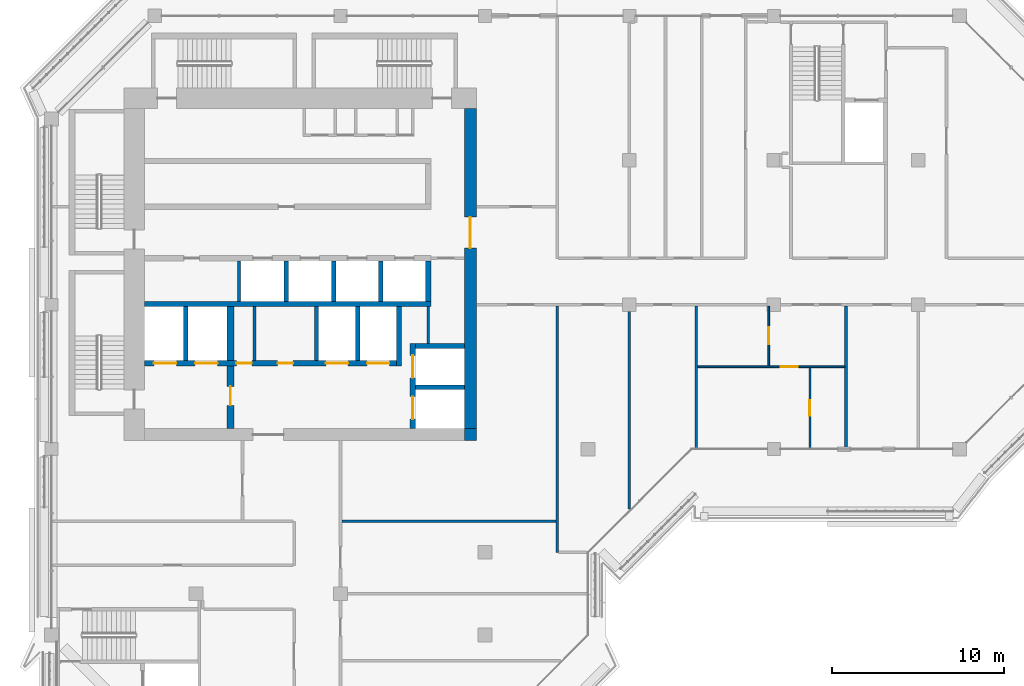
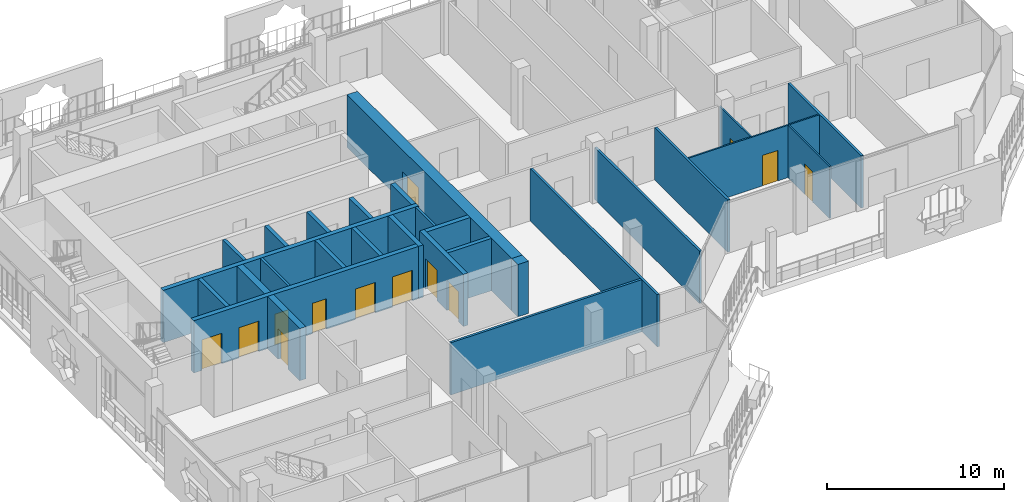
# One storey, part 11 of 22: 28 walls, 13 doors, 13 openings.
"""IFC4 building model written with IfcOpenShell, lengths in metres."""

from ifc_helpers import new_model, si_unit, direction, frame, frame_2d, origin, place, context, subcontext, project, spatial, rectangle, extrude, material, layer, layer_set, type_object, element, fill, save


model = new_model("IFC4")

# Units and contexts
model_context = context("Model", 3, precision=1e-05, world=origin(), true_north=direction((0.0, 1.0)))
body_context = subcontext(model_context, "Body", "Model", "MODEL_VIEW")
ifc_project = project(units=[si_unit("LENGTHUNIT", "METRE"), si_unit("AREAUNIT", "SQUARE_METRE"), si_unit("VOLUMEUNIT", "CUBIC_METRE"), si_unit("PLANEANGLEUNIT", "RADIAN"), si_unit("MASSUNIT", "GRAM", prefix="KILO")], contexts=[model_context])

# Site, building, storey
site_placement = place(None, origin())
site = spatial("IfcSite", under=ifc_project, at=site_placement, CompositionType="ELEMENT")
building_placement = place(site_placement, origin())
building = spatial("IfcBuilding", under=site, at=building_placement, Name="Kawkab Arch Medical Tower", CompositionType="ELEMENT")
storey_placement = place(building_placement, frame((0.0, 0.0, 298.60009765625)))
storey = spatial("IfcBuildingStorey", under=building, at=storey_placement, Name="L69", CompositionType="ELEMENT", Elevation=298.60009765625)

# Wall, opening, door
ifc_material_1 = material(Name="Concrete C50/60", Category="concrete")
ifc_layer_1 = layer(ifc_material_1, 0.699951171875)
ifc_layer_set_1 = layer_set([ifc_layer_1], Name="Concrete C50/60")
wall_type_1 = type_object("IfcWallType", Name="Core ring wall 700 C50/60", PredefinedType="SHEAR", material=ifc_layer_set_1)
wall_1_placement = place(storey_placement, frame((24.35009765625, -24.0, 0.0), z_axis=(0.0, 0.0, 1.0), x_axis=(0.0, 1.0, 0.0)))
wall_1 = element("IfcWall", 1, at=wall_1_placement, inside=storey, type_object=wall_type_1, Name="L69 core wall", PredefinedType="SHEAR", context=body_context, shape_type="SweptSolid", body=[
    extrude(rectangle(XDim=18.60009765625, YDim=0.699951171875, at=frame_2d((9.300048828125, 0.0))), origin(), (0.0, 0.0, 1.0), 3.599853515625),
])
opening_1_placement = place(wall_1_placement, frame((10.5, 0.0, 0.0)))
opening_1 = element("IfcOpeningElement", 2, at=opening_1_placement, cuts=wall_1, Name="Opening PD", PredefinedType="OPENING", context=body_context, shape_type="SweptSolid", body=[
    extrude(rectangle(XDim=1.800048828125, YDim=2.10009765625, at=frame_2d((0.89990234375, 1.050048828125))), frame((0.0, 0.35986328125, 0.0), z_axis=(0.0, -1.0, 0.0), x_axis=(1.0, 0.0, 0.0)), (0.0, 0.0, 1.0), 0.719970703125),
])
ifc_material_2 = material(Name="Hollow metal fire door leaf")
door_type_1 = type_object("IfcDoorType", Name="Core entrance doors 1800", OperationType="DOUBLE_DOOR_SINGLE_SWING", PredefinedType="DOOR", material=ifc_material_2)
door_1_placement = place(opening_1_placement, origin())
door_1 = element("IfcDoor", 3, at=door_1_placement, inside=storey, type_object=door_type_1, Name="L69 East entrance doors", OperationType="DOUBLE_DOOR_SINGLE_SWING", OverallHeight=2.10009765625, OverallWidth=1.800048828125, PredefinedType="DOOR", context=body_context, shape_type="SweptSolid", body=[
    extrude(rectangle(XDim=1.800048828125, YDim=2.10009765625, at=frame_2d((0.89990234375, 1.050048828125))), frame((0.0, 0.02490234375, 0.0), z_axis=(0.0, -1.0, 0.0), x_axis=(1.0, 0.0, 0.0)), (0.0, 0.0, 1.0), 0.050048828125),
])
fill(opening_1, door_1)

# Walls
wall_2_placement = place(storey_placement, frame((24.35009765625, -24.699951171875, 0.0), z_axis=(0.0, 0.0, 1.0), x_axis=(0.0, 1.0, 0.0)))
element("IfcWall", 4, at=wall_2_placement, inside=storey, type_object=wall_type_1, Name="L69 core wall", PredefinedType="SHEAR", context=body_context, shape_type="SweptSolid", body=[
    extrude(rectangle(XDim=0.699951171875, YDim=0.699951171875, at=frame_2d((0.35009765625, 0.0))), origin(), (0.0, 0.0, 1.0), 3.599853515625),
])
ifc_material_3 = material(Name="Gypsum board on steel studs", Category="steel")
ifc_layer_2 = layer(ifc_material_3, 0.14990234375)
ifc_layer_set_2 = layer_set([ifc_layer_2], Name="Gypsum board on steel studs")
wall_type_2 = type_object("IfcWallType", Name="Core room partition 150", PredefinedType="PARTITIONING", material=ifc_layer_set_2)
wall_3_placement = place(storey_placement, frame((21.89990234375, -19.050048828125, 0.0), z_axis=(0.0, 0.0, 1.0), x_axis=(0.0, 1.0, 0.0)))
element("IfcWall", 5, at=wall_3_placement, inside=storey, type_object=wall_type_2, Name="L69 core room partition", PredefinedType="PARTITIONING", context=body_context, shape_type="SweptSolid", body=[
    extrude(rectangle(XDim=2.150146484375, YDim=0.14990234375, at=frame_2d((1.0751953125, 0.0))), origin(), (0.0, 0.0, 1.0), 3.599853515625),
])
wall_4_placement = place(storey_placement, frame((11.800048828125, -20.050048828125, 0.0), z_axis=(0.0, 0.0, 1.0), x_axis=(0.0, 1.0, 0.0)))
element("IfcWall", 6, at=wall_4_placement, inside=storey, type_object=wall_type_2, Name="L69 core room partition", PredefinedType="PARTITIONING", context=body_context, shape_type="SweptSolid", body=[
    extrude(rectangle(XDim=3.150146484375, YDim=0.14990234375, at=frame_2d((1.5751953125, 0.0))), origin(), (0.0, 0.0, 1.0), 3.599853515625),
])
ifc_material_4 = material(Name="Concrete C60/75", Category="concrete")
ifc_layer_3 = layer(ifc_material_4, 0.25)
ifc_layer_set_3 = layer_set([ifc_layer_3], Name="Concrete C60/75")
wall_type_3 = type_object("IfcWallType", Name="Core shear wall 250 C60/75", PredefinedType="SHEAR", material=ifc_layer_set_3)
wall_5_placement = place(storey_placement, frame((21.14990234375, -21.60009765625, 0.0), z_axis=(0.0, 0.0, 1.0), x_axis=(1.0, 0.0, 0.0)))
element("IfcWall", 7, at=wall_5_placement, inside=storey, type_object=wall_type_3, Name="L69 core shear wall", PredefinedType="SHEAR", context=body_context, shape_type="SweptSolid", body=[
    extrude(rectangle(XDim=2.85009765625, YDim=0.25, at=frame_2d((1.425048828125, 0.0))), origin(), (0.0, 0.0, 1.0), 3.599853515625),
])
for number, where, z_axis, x_axis, name in (
    (8, (7.800048828125, -20.050048828125, 0.0), (0.0, 0.0, 1.0), (0.0, 1.0, 0.0), "L69 core shear wall"),
    (9, (15.39990234375, -20.050048828125, 0.0), (0.0, 0.0, 1.0), (0.0, 1.0, 0.0), "L69 core shear wall"),
    (10, (17.800048828125, -20.050048828125, 0.0), (0.0, 0.0, 1.0), (0.0, 1.0, 0.0), "L69 core shear wall"),
):
    element("IfcWall", number, at=place(storey_placement, frame(where, z_axis=z_axis, x_axis=x_axis)), inside=storey, type_object=wall_type_3, Name=name, PredefinedType="SHEAR", context=body_context, shape_type="SweptSolid", body=[
        extrude(rectangle(XDim=3.150146484375, YDim=0.25, at=frame_2d((1.5751953125, 0.0))), origin(), (0.0, 0.0, 1.0), 3.599853515625),
    ])
for number, where, z_axis, x_axis, name in (
    (11, (13.64990234375, -16.60009765625, 0.0), (0.0, 0.0, 1.0), (0.0, 1.0, 0.0), "L69 core shear wall"),
    (12, (16.39990234375, -16.60009765625, 0.0), (0.0, 0.0, 1.0), (0.0, 1.0, 0.0), "L69 core shear wall"),
    (13, (19.14990234375, -16.60009765625, 0.0), (0.0, 0.0, 1.0), (0.0, 1.0, 0.0), "L69 core shear wall"),
):
    element("IfcWall", number, at=place(storey_placement, frame(where, z_axis=z_axis, x_axis=x_axis)), inside=storey, type_object=wall_type_3, Name=name, PredefinedType="SHEAR", context=body_context, shape_type="SweptSolid", body=[
        extrude(rectangle(XDim=2.35009765625, YDim=0.25, at=frame_2d((1.175048828125, 0.0))), origin(), (0.0, 0.0, 1.0), 3.599853515625),
    ])
ifc_material_5 = material(Name="Concrete C60/75", Category="concrete")
ifc_layer_4 = layer(ifc_material_5, 0.300048828125)
ifc_layer_set_4 = layer_set([ifc_layer_4], Name="Concrete C60/75")
wall_type_4 = type_object("IfcWallType", Name="Core shear wall 300 C60/75", PredefinedType="SHEAR", material=ifc_layer_set_4)
wall_6_placement = place(storey_placement, frame((5.39990234375, -16.75, 0.0), z_axis=(0.0, 0.0, 1.0), x_axis=(1.0, 0.0, 0.0)))
element("IfcWall", 14, at=wall_6_placement, inside=storey, type_object=wall_type_4, Name="L69 core shear wall", PredefinedType="SHEAR", context=body_context, shape_type="SweptSolid", body=[
    extrude(rectangle(XDim=16.650146484375, YDim=0.300048828125, at=frame_2d((8.3251953125, 0.0))), origin(), (0.0, 0.0, 1.0), 3.599853515625),
])

# Wall, openings, doors
wall_7_placement = place(storey_placement, frame((5.39990234375, -20.199951171875, 0.0), z_axis=(0.0, 0.0, 1.0), x_axis=(1.0, 0.0, 0.0)))
wall_7 = element("IfcWall", 15, at=wall_7_placement, inside=storey, type_object=wall_type_4, Name="L69 core shear wall", PredefinedType="SHEAR", context=body_context, shape_type="SweptSolid", body=[
    extrude(rectangle(XDim=14.650146484375, YDim=0.300048828125, at=frame_2d((7.3251953125, 0.0))), origin(), (0.0, 0.0, 1.0), 3.599853515625),
])
opening_2_placement = place(wall_7_placement, frame((10.550048828125, 0.0, 0.0)))
opening_2 = element("IfcOpeningElement", 16, at=opening_2_placement, cuts=wall_7, Name="Opening LD2", PredefinedType="OPENING", context=body_context, shape_type="SweptSolid", body=[
    extrude(rectangle(XDim=1.300048828125, YDim=2.10009765625, at=frame_2d((0.64990234375, 1.050048828125))), frame((0.0, 0.159912109375, 0.0), z_axis=(0.0, -1.0, 0.0), x_axis=(1.0, 0.0, 0.0)), (0.0, 0.0, 1.0), 0.320068359375),
])
opening_3_placement = place(wall_7_placement, frame((12.949951171875, 0.0, 0.0)))
opening_3 = element("IfcOpeningElement", 17, at=opening_3_placement, cuts=wall_7, Name="Opening LD2", PredefinedType="OPENING", context=body_context, shape_type="SweptSolid", body=[
    extrude(rectangle(XDim=1.300048828125, YDim=2.10009765625, at=frame_2d((0.64990234375, 1.050048828125))), frame((0.0, 0.159912109375, 0.0), z_axis=(0.0, -1.0, 0.0), x_axis=(1.0, 0.0, 0.0)), (0.0, 0.0, 1.0), 0.320068359375),
])
opening_4_placement = place(wall_7_placement, frame((0.550048828125, 0.0, 0.0)))
opening_4 = element("IfcOpeningElement", 18, at=opening_4_placement, cuts=wall_7, Name="Opening LD2", PredefinedType="OPENING", context=body_context, shape_type="SweptSolid", body=[
    extrude(rectangle(XDim=1.300048828125, YDim=2.10009765625, at=frame_2d((0.64990234375, 1.050048828125))), frame((0.0, 0.159912109375, 0.0), z_axis=(0.0, -1.0, 0.0), x_axis=(1.0, 0.0, 0.0)), (0.0, 0.0, 1.0), 0.320068359375),
])
opening_5_placement = place(wall_7_placement, frame((2.949951171875, 0.0, 0.0)))
opening_5 = element("IfcOpeningElement", 19, at=opening_5_placement, cuts=wall_7, Name="Opening LD2", PredefinedType="OPENING", context=body_context, shape_type="SweptSolid", body=[
    extrude(rectangle(XDim=1.300048828125, YDim=2.10009765625, at=frame_2d((0.64990234375, 1.050048828125))), frame((0.0, 0.159912109375, 0.0), z_axis=(0.0, -1.0, 0.0), x_axis=(1.0, 0.0, 0.0)), (0.0, 0.0, 1.0), 0.320068359375),
])
opening_6_placement = place(wall_7_placement, frame((5.35009765625, 0.0, 0.0)))
opening_6 = element("IfcOpeningElement", 20, at=opening_6_placement, cuts=wall_7, Name="Opening RD", PredefinedType="OPENING", context=body_context, shape_type="SweptSolid", body=[
    extrude(rectangle(XDim=0.89990234375, YDim=2.10009765625, at=frame_2d((0.449951171875, 1.050048828125))), frame((0.0, 0.159912109375, 0.0), z_axis=(0.0, -1.0, 0.0), x_axis=(1.0, 0.0, 0.0)), (0.0, 0.0, 1.0), 0.320068359375),
])
opening_7_placement = place(wall_7_placement, frame((7.75, 0.0, 0.0)))
opening_7 = element("IfcOpeningElement", 21, at=opening_7_placement, cuts=wall_7, Name="Opening RD", PredefinedType="OPENING", context=body_context, shape_type="SweptSolid", body=[
    extrude(rectangle(XDim=0.89990234375, YDim=2.10009765625, at=frame_2d((0.449951171875, 1.050048828125))), frame((0.0, 0.159912109375, 0.0), z_axis=(0.0, -1.0, 0.0), x_axis=(1.0, 0.0, 0.0)), (0.0, 0.0, 1.0), 0.320068359375),
])
ifc_material_6 = material(Name="Hollow metal fire door leaf")
door_type_2 = type_object("IfcDoorType", Name="Core room door 900", OperationType="SINGLE_SWING_LEFT", PredefinedType="DOOR", material=ifc_material_6)
door_2_placement = place(opening_6_placement, origin())
door_2 = element("IfcDoor", 22, at=door_2_placement, inside=storey, type_object=door_type_2, Name="L69 Linen store door", OperationType="SINGLE_SWING_LEFT", OverallHeight=2.10009765625, OverallWidth=0.89990234375, PredefinedType="DOOR", context=body_context, shape_type="SweptSolid", body=[
    extrude(rectangle(XDim=0.89990234375, YDim=2.10009765625, at=frame_2d((0.449951171875, 1.050048828125))), frame((0.0, 0.02490234375, 0.0), z_axis=(0.0, -1.0, 0.0), x_axis=(1.0, 0.0, 0.0)), (0.0, 0.0, 1.0), 0.050048828125),
])
fill(opening_6, door_2)
door_3_placement = place(opening_7_placement, origin())
door_3 = element("IfcDoor", 23, at=door_3_placement, inside=storey, type_object=door_type_2, Name="L69 Dirty utility room door", OperationType="SINGLE_SWING_LEFT", OverallHeight=2.10009765625, OverallWidth=0.89990234375, PredefinedType="DOOR", context=body_context, shape_type="SweptSolid", body=[
    extrude(rectangle(XDim=0.89990234375, YDim=2.10009765625, at=frame_2d((0.449951171875, 1.050048828125))), frame((0.0, 0.02490234375, 0.0), z_axis=(0.0, -1.0, 0.0), x_axis=(1.0, 0.0, 0.0)), (0.0, 0.0, 1.0), 0.050048828125),
])
fill(opening_7, door_3)
ifc_material_7 = material(Name="Stainless steel lift door leaf", Category="steel")
door_type_3 = type_object("IfcDoorType", Name="Lift landing door 1300", OperationType="DOUBLE_DOOR_SLIDING", PredefinedType="DOOR", material=ifc_material_7)
door_4_placement = place(opening_2_placement, origin())
door_4 = element("IfcDoor", 24, at=door_4_placement, inside=storey, type_object=door_type_3, Name="L69 Lift landing door BD3", OperationType="DOUBLE_DOOR_SLIDING", OverallHeight=2.10009765625, OverallWidth=1.300048828125, PredefinedType="DOOR", context=body_context, shape_type="SweptSolid", body=[
    extrude(rectangle(XDim=1.300048828125, YDim=2.10009765625, at=frame_2d((0.64990234375, 1.050048828125))), frame((0.0, 0.02490234375, 0.0), z_axis=(0.0, -1.0, 0.0), x_axis=(1.0, 0.0, 0.0)), (0.0, 0.0, 1.0), 0.050048828125),
])
fill(opening_2, door_4)
door_5_placement = place(opening_3_placement, origin())
door_5 = element("IfcDoor", 25, at=door_5_placement, inside=storey, type_object=door_type_3, Name="L69 Lift landing door BD4", OperationType="DOUBLE_DOOR_SLIDING", OverallHeight=2.10009765625, OverallWidth=1.300048828125, PredefinedType="DOOR", context=body_context, shape_type="SweptSolid", body=[
    extrude(rectangle(XDim=1.300048828125, YDim=2.10009765625, at=frame_2d((0.64990234375, 1.050048828125))), frame((0.0, 0.02490234375, 0.0), z_axis=(0.0, -1.0, 0.0), x_axis=(1.0, 0.0, 0.0)), (0.0, 0.0, 1.0), 0.050048828125),
])
fill(opening_3, door_5)
door_6_placement = place(opening_4_placement, origin())
door_6 = element("IfcDoor", 26, at=door_6_placement, inside=storey, type_object=door_type_3, Name="L69 Lift landing door FL1", OperationType="DOUBLE_DOOR_SLIDING", OverallHeight=2.10009765625, OverallWidth=1.300048828125, PredefinedType="DOOR", context=body_context, shape_type="SweptSolid", body=[
    extrude(rectangle(XDim=1.300048828125, YDim=2.10009765625, at=frame_2d((0.64990234375, 1.050048828125))), frame((0.0, 0.02490234375, 0.0), z_axis=(0.0, -1.0, 0.0), x_axis=(1.0, 0.0, 0.0)), (0.0, 0.0, 1.0), 0.050048828125),
])
fill(opening_4, door_6)
door_7_placement = place(opening_5_placement, origin())
door_7 = element("IfcDoor", 27, at=door_7_placement, inside=storey, type_object=door_type_3, Name="L69 Lift landing door FL2", OperationType="DOUBLE_DOOR_SLIDING", OverallHeight=2.10009765625, OverallWidth=1.300048828125, PredefinedType="DOOR", context=body_context, shape_type="SweptSolid", body=[
    extrude(rectangle(XDim=1.300048828125, YDim=2.10009765625, at=frame_2d((0.64990234375, 1.050048828125))), frame((0.0, 0.02490234375, 0.0), z_axis=(0.0, -1.0, 0.0), x_axis=(1.0, 0.0, 0.0)), (0.0, 0.0, 1.0), 0.050048828125),
])
fill(opening_5, door_7)

# Walls
wall_8_placement = place(storey_placement, frame((20.199951171875, -20.35009765625, 0.0), z_axis=(0.0, 0.0, 1.0), x_axis=(0.0, 1.0, 0.0)))
element("IfcWall", 28, at=wall_8_placement, inside=storey, type_object=wall_type_4, Name="L69 core shear wall", PredefinedType="SHEAR", context=body_context, shape_type="SweptSolid", body=[
    extrude(rectangle(XDim=3.4501953125, YDim=0.300048828125, at=frame_2d((1.72509765625, 0.0))), origin(), (0.0, 0.0, 1.0), 3.599853515625),
])
wall_9_placement = place(storey_placement, frame((21.89990234375, -16.60009765625, 0.0), z_axis=(0.0, 0.0, 1.0), x_axis=(0.0, 1.0, 0.0)))
element("IfcWall", 29, at=wall_9_placement, inside=storey, type_object=wall_type_4, Name="L69 core shear wall", PredefinedType="SHEAR", context=body_context, shape_type="SweptSolid", body=[
    extrude(rectangle(XDim=2.35009765625, YDim=0.300048828125, at=frame_2d((1.175048828125, 0.0))), origin(), (0.0, 0.0, 1.0), 3.599853515625),
])
wall_10_placement = place(storey_placement, frame((21.14990234375, -19.199951171875, 0.0), z_axis=(0.0, 0.0, 1.0), x_axis=(1.0, 0.0, 0.0)))
element("IfcWall", 30, at=wall_10_placement, inside=storey, type_object=wall_type_4, Name="L69 core shear wall", PredefinedType="SHEAR", context=body_context, shape_type="SweptSolid", body=[
    extrude(rectangle(XDim=2.85009765625, YDim=0.300048828125, at=frame_2d((1.425048828125, 0.0))), origin(), (0.0, 0.0, 1.0), 3.599853515625),
])

# Wall, openings, doors
wall_11_placement = place(storey_placement, frame((21.0, -24.0, 0.0), z_axis=(0.0, 0.0, 1.0), x_axis=(0.0, 1.0, 0.0)))
wall_11 = element("IfcWall", 31, at=wall_11_placement, inside=storey, type_object=wall_type_4, Name="L69 core shear wall", PredefinedType="SHEAR", context=body_context, shape_type="SweptSolid", body=[
    extrude(rectangle(XDim=4.949951171875, YDim=0.300048828125, at=frame_2d((2.47509765625, 0.0))), origin(), (0.0, 0.0, 1.0), 3.599853515625),
])
opening_8_placement = place(wall_11_placement, frame((2.949951171875, 0.0, 0.0)))
opening_8 = element("IfcOpeningElement", 32, at=opening_8_placement, cuts=wall_11, Name="Opening LD2", PredefinedType="OPENING", context=body_context, shape_type="SweptSolid", body=[
    extrude(rectangle(XDim=1.300048828125, YDim=2.10009765625, at=frame_2d((0.64990234375, 1.050048828125))), frame((0.0, 0.159912109375, 0.0), z_axis=(0.0, -1.0, 0.0), x_axis=(1.0, 0.0, 0.0)), (0.0, 0.0, 1.0), 0.320068359375),
])
opening_9_placement = place(wall_11_placement, frame((0.550048828125, 0.0, 0.0)))
opening_9 = element("IfcOpeningElement", 33, at=opening_9_placement, cuts=wall_11, Name="Opening LD2", PredefinedType="OPENING", context=body_context, shape_type="SweptSolid", body=[
    extrude(rectangle(XDim=1.300048828125, YDim=2.10009765625, at=frame_2d((0.64990234375, 1.050048828125))), frame((0.0, 0.159912109375, 0.0), z_axis=(0.0, -1.0, 0.0), x_axis=(1.0, 0.0, 0.0)), (0.0, 0.0, 1.0), 0.320068359375),
])
door_8_placement = place(opening_8_placement, origin())
door_8 = element("IfcDoor", 34, at=door_8_placement, inside=storey, type_object=door_type_3, Name="L69 Lift landing door BD1", OperationType="DOUBLE_DOOR_SLIDING", OverallHeight=2.10009765625, OverallWidth=1.300048828125, PredefinedType="DOOR", context=body_context, shape_type="SweptSolid", body=[
    extrude(rectangle(XDim=1.300048828125, YDim=2.10009765625, at=frame_2d((0.64990234375, 1.050048828125))), frame((0.0, 0.02490234375, 0.0), z_axis=(0.0, -1.0, 0.0), x_axis=(1.0, 0.0, 0.0)), (0.0, 0.0, 1.0), 0.050048828125),
])
fill(opening_8, door_8)
door_9_placement = place(opening_9_placement, origin())
door_9 = element("IfcDoor", 35, at=door_9_placement, inside=storey, type_object=door_type_3, Name="L69 Lift landing door BD2", OperationType="DOUBLE_DOOR_SLIDING", OverallHeight=2.10009765625, OverallWidth=1.300048828125, PredefinedType="DOOR", context=body_context, shape_type="SweptSolid", body=[
    extrude(rectangle(XDim=1.300048828125, YDim=2.10009765625, at=frame_2d((0.64990234375, 1.050048828125))), frame((0.0, 0.02490234375, 0.0), z_axis=(0.0, -1.0, 0.0), x_axis=(1.0, 0.0, 0.0)), (0.0, 0.0, 1.0), 0.050048828125),
])
fill(opening_9, door_9)

# Wall, opening, door
ifc_material_8 = material(Name="Concrete C60/75", Category="concrete")
ifc_layer_5 = layer(ifc_material_8, 0.39990234375)
ifc_layer_set_5 = layer_set([ifc_layer_5], Name="Concrete C60/75")
wall_type_5 = type_object("IfcWallType", Name="Core shear wall 400 C60/75", PredefinedType="SHEAR", material=ifc_layer_set_5)
wall_12_placement = place(storey_placement, frame((10.39990234375, -24.0, 0.0), z_axis=(0.0, 0.0, 1.0), x_axis=(0.0, 1.0, 0.0)))
wall_12 = element("IfcWall", 36, at=wall_12_placement, inside=storey, type_object=wall_type_5, Name="L69 core shear wall", PredefinedType="SHEAR", context=body_context, shape_type="SweptSolid", body=[
    extrude(rectangle(XDim=3.64990234375, YDim=0.39990234375, at=frame_2d((1.824951171875, 0.0))), origin(), (0.0, 0.0, 1.0), 3.599853515625),
])
opening_10_placement = place(wall_12_placement, frame((1.35009765625, 0.0, 0.0)))
opening_10 = element("IfcOpeningElement", 37, at=opening_10_placement, cuts=wall_12, Name="Opening FD", PredefinedType="OPENING", context=body_context, shape_type="SweptSolid", body=[
    extrude(rectangle(XDim=1.10009765625, YDim=2.10009765625, at=frame_2d((0.550048828125, 1.050048828125))), frame((0.0, 0.2099609375, 0.0), z_axis=(0.0, -1.0, 0.0), x_axis=(1.0, 0.0, 0.0)), (0.0, 0.0, 1.0), 0.419921875),
])
ifc_material_9 = material(Name="Hollow metal fire door leaf")
door_type_4 = type_object("IfcDoorType", Name="Firefighting lobby door 1100", OperationType="SINGLE_SWING_LEFT", PredefinedType="DOOR", material=ifc_material_9)
door_10_placement = place(opening_10_placement, origin())
door_10 = element("IfcDoor", 38, at=door_10_placement, inside=storey, type_object=door_type_4, Name="L69 Firefighting lobby door", OperationType="SINGLE_SWING_LEFT", OverallHeight=2.10009765625, OverallWidth=1.10009765625, PredefinedType="DOOR", context=body_context, shape_type="SweptSolid", body=[
    extrude(rectangle(XDim=1.10009765625, YDim=2.10009765625, at=frame_2d((0.550048828125, 1.050048828125))), frame((0.0, 0.02490234375, 0.0), z_axis=(0.0, -1.0, 0.0), x_axis=(1.0, 0.0, 0.0)), (0.0, 0.0, 1.0), 0.050048828125),
])
fill(opening_10, door_10)

# Walls
wall_13_placement = place(storey_placement, frame((10.39990234375, -20.050048828125, 0.0), z_axis=(0.0, 0.0, 1.0), x_axis=(0.0, 1.0, 0.0)))
element("IfcWall", 39, at=wall_13_placement, inside=storey, type_object=wall_type_5, Name="L69 core shear wall", PredefinedType="SHEAR", context=body_context, shape_type="SweptSolid", body=[
    extrude(rectangle(XDim=3.150146484375, YDim=0.39990234375, at=frame_2d((1.5751953125, 0.0))), origin(), (0.0, 0.0, 1.0), 3.599853515625),
])
ifc_material_10 = material(Name="Dense concrete blockwork", Category="masonry")
ifc_layer_6 = layer(ifc_material_10, 0.199951171875)
ifc_layer_set_6 = layer_set([ifc_layer_6], Name="Dense concrete blockwork")
wall_type_6 = type_object("IfcWallType", Name="Lift shaft partition 200", PredefinedType="PARTITIONING", material=ifc_layer_set_6)
wall_14_placement = place(storey_placement, frame((10.89990234375, -16.60009765625, 0.0), z_axis=(0.0, 0.0, 1.0), x_axis=(0.0, 1.0, 0.0)))
element("IfcWall", 40, at=wall_14_placement, inside=storey, type_object=wall_type_6, Name="L69 lift shaft partition", PredefinedType="PARTITIONING", context=body_context, shape_type="SweptSolid", body=[
    extrude(rectangle(XDim=2.35009765625, YDim=0.199951171875, at=frame_2d((1.175048828125, 0.0))), origin(), (0.0, 0.0, 1.0), 3.599853515625),
])

# Wall, opening, door
ifc_material_11 = material(Name="Gypsum board partition on steel studs", Category="steel")
ifc_layer_7 = layer(ifc_material_11, 0.10009765625)
ifc_layer_set_7 = layer_set([ifc_layer_7], Name="Gypsum board partition on steel studs")
wall_type_7 = type_object("IfcWallType", Name="Partition 100", PredefinedType="PARTITIONING", material=ifc_layer_set_7)
wall_15_placement = place(storey_placement, frame((37.574951171875, -20.39990234375, 0.0), z_axis=(0.0, 0.0, 1.0), x_axis=(1.0, 0.0, 0.0)))
wall_15 = element("IfcWall", 41, at=wall_15_placement, inside=storey, type_object=wall_type_7, Name="Partition 100 w001", PredefinedType="PARTITIONING", context=body_context, shape_type="SweptSolid", body=[
    extrude(rectangle(XDim=8.550048828125, YDim=0.10009765625, at=frame_2d((4.27490234375, 0.0))), origin(), (0.0, 0.0, 1.0), 3.599853515625),
])
opening_11_placement = place(wall_15_placement, frame((4.824951171875, 0.0, 0.0)))
opening_11 = element("IfcOpeningElement", 42, at=opening_11_placement, cuts=wall_15, Name="Opening W69-007", PredefinedType="OPENING", context=body_context, shape_type="SweptSolid", body=[
    extrude(rectangle(XDim=1.0, YDim=2.10009765625, at=frame_2d((0.5, 1.050048828125))), frame((0.0, 0.06005859375, 0.0), z_axis=(0.0, -1.0, 0.0), x_axis=(1.0, 0.0, 0.0)), (0.0, 0.0, 1.0), 0.1201171875),
])
ifc_material_12 = material(Name="Timber door leaf", Category="wood")
door_type_5 = type_object("IfcDoorType", Name="Single door 1000x2100", OperationType="NOTDEFINED", PredefinedType="DOOR", material=ifc_material_12)
door_11_placement = place(opening_11_placement, origin())
door_11 = element("IfcDoor", 43, at=door_11_placement, inside=storey, type_object=door_type_5, Name="Door W69-007", OperationType="SINGLE_SWING_LEFT", OverallHeight=2.10009765625, OverallWidth=1.0, PredefinedType="DOOR", context=body_context, shape_type="SweptSolid", body=[
    extrude(rectangle(XDim=1.0, YDim=2.10009765625, at=frame_2d((0.5, 1.050048828125))), frame((0.0, 0.02490234375, 0.0), z_axis=(0.0, -1.0, 0.0), x_axis=(1.0, 0.0, 0.0)), (0.0, 0.0, 1.0), 0.050048828125),
])
fill(opening_11, door_11)

wall_16_placement = place(storey_placement, frame((41.699951171875, -20.35009765625, 0.0), z_axis=(0.0, 0.0, 1.0), x_axis=(0.0, 1.0, 0.0)))
wall_16 = element("IfcWall", 44, at=wall_16_placement, inside=storey, type_object=wall_type_7, Name="Partition 100 w002", PredefinedType="PARTITIONING", context=body_context, shape_type="SweptSolid", body=[
    extrude(rectangle(XDim=3.47509765625, YDim=0.10009765625, at=frame_2d((1.737548828125, 0.0))), origin(), (0.0, 0.0, 1.0), 3.599853515625),
])
opening_12_placement = place(wall_16_placement, frame((1.25, 0.0, 0.0)))
opening_12 = element("IfcOpeningElement", 45, at=opening_12_placement, cuts=wall_16, Name="Opening W69-008", PredefinedType="OPENING", context=body_context, shape_type="SweptSolid", body=[
    extrude(rectangle(XDim=1.0, YDim=2.10009765625, at=frame_2d((0.5, 1.050048828125))), frame((0.0, 0.06005859375, 0.0), z_axis=(0.0, -1.0, 0.0), x_axis=(1.0, 0.0, 0.0)), (0.0, 0.0, 1.0), 0.1201171875),
])
door_12_placement = place(opening_12_placement, origin())
door_12 = element("IfcDoor", 46, at=door_12_placement, inside=storey, type_object=door_type_5, Name="Door W69-008", OperationType="SINGLE_SWING_RIGHT", OverallHeight=2.10009765625, OverallWidth=1.0, PredefinedType="DOOR", context=body_context, shape_type="SweptSolid", body=[
    extrude(rectangle(XDim=1.0, YDim=2.10009765625, at=frame_2d((0.5, 1.050048828125))), frame((0.0, 0.02490234375, 0.0), z_axis=(0.0, -1.0, 0.0), x_axis=(1.0, 0.0, 0.0)), (0.0, 0.0, 1.0), 0.050048828125),
])
fill(opening_12, door_12)

wall_17_placement = place(storey_placement, frame((44.10009765625, -25.1201171875, 0.0), z_axis=(0.0, 0.0, 1.0), x_axis=(0.0, 1.0, 0.0)))
wall_17 = element("IfcWall", 47, at=wall_17_placement, inside=storey, type_object=wall_type_7, Name="Partition 100 w003", PredefinedType="PARTITIONING", context=body_context, shape_type="SweptSolid", body=[
    extrude(rectangle(XDim=4.670166015625, YDim=0.10009765625, at=frame_2d((2.3349609375, 0.0))), origin(), (0.0, 0.0, 1.0), 3.599853515625),
])
opening_13_placement = place(wall_17_placement, frame((1.8701171875, 0.0, 0.0)))
opening_13 = element("IfcOpeningElement", 48, at=opening_13_placement, cuts=wall_17, Name="Opening W69-005", PredefinedType="OPENING", context=body_context, shape_type="SweptSolid", body=[
    extrude(rectangle(XDim=0.89990234375, YDim=2.10009765625, at=frame_2d((0.449951171875, 1.050048828125))), frame((0.0, 0.06005859375, 0.0), z_axis=(0.0, -1.0, 0.0), x_axis=(1.0, 0.0, 0.0)), (0.0, 0.0, 1.0), 0.1201171875),
])
ifc_material_13 = material(Name="Timber door leaf", Category="wood")
door_type_6 = type_object("IfcDoorType", Name="Single door 900x2100", OperationType="NOTDEFINED", PredefinedType="DOOR", material=ifc_material_13)
door_13_placement = place(opening_13_placement, origin())
door_13 = element("IfcDoor", 49, at=door_13_placement, inside=storey, type_object=door_type_6, Name="Door W69-005", OperationType="SINGLE_SWING_RIGHT", OverallHeight=2.10009765625, OverallWidth=0.89990234375, PredefinedType="DOOR", context=body_context, shape_type="SweptSolid", body=[
    extrude(rectangle(XDim=0.89990234375, YDim=2.10009765625, at=frame_2d((0.449951171875, 1.050048828125))), frame((0.0, 0.02490234375, 0.0), z_axis=(0.0, -1.0, 0.0), x_axis=(1.0, 0.0, 0.0)), (0.0, 0.0, 1.0), 0.050048828125),
])
fill(opening_13, door_13)

# Walls
ifc_material_14 = material(Name="Gypsum board partition on steel studs, mineral wool", Category="steel")
ifc_layer_8 = layer(ifc_material_14, 0.14990234375)
ifc_layer_set_8 = layer_set([ifc_layer_8], Name="Gypsum board partition on steel studs, mineral wool")
wall_type_8 = type_object("IfcWallType", Name="Partition 150", PredefinedType="PARTITIONING", material=ifc_layer_set_8)
wall_18_placement = place(storey_placement, frame((16.875, -29.39990234375, 0.0), z_axis=(0.0, 0.0, 1.0), x_axis=(1.0, 0.0, 0.0)))
element("IfcWall", 50, at=wall_18_placement, inside=storey, type_object=wall_type_8, Name="Partition 150 w011", PredefinedType="PARTITIONING", context=body_context, shape_type="SweptSolid", body=[
    extrude(rectangle(XDim=12.449951171875, YDim=0.14990234375, at=frame_2d((6.22509765625, 0.0))), origin(), (0.0, 0.0, 1.0), 3.599853515625),
])
wall_19_placement = place(storey_placement, frame((29.39990234375, -31.197998046875, 0.0), z_axis=(0.0, 0.0, 1.0), x_axis=(0.0, 1.0, 0.0)))
element("IfcWall", 51, at=wall_19_placement, inside=storey, type_object=wall_type_8, Name="Partition 150 w030", PredefinedType="PARTITIONING", context=body_context, shape_type="SweptSolid", body=[
    extrude(rectangle(XDim=14.322998046875, YDim=0.14990234375, at=frame_2d((7.16162109375, 0.0))), origin(), (0.0, 0.0, 1.0), 3.599853515625),
])
wall_20_placement = place(storey_placement, frame((33.60009765625, -28.68701171875, 0.0), z_axis=(0.0, 0.0, 1.0), x_axis=(0.0, 1.0, 0.0)))
element("IfcWall", 52, at=wall_20_placement, inside=storey, type_object=wall_type_8, Name="Partition 150 w032", PredefinedType="PARTITIONING", context=body_context, shape_type="SweptSolid", body=[
    extrude(rectangle(XDim=11.81201171875, YDim=0.14990234375, at=frame_2d((5.906005859375, 0.0))), origin(), (0.0, 0.0, 1.0), 3.599853515625),
])
for number, where, z_axis, x_axis, name in (
    (53, (37.5, -25.1201171875, 0.0), (0.0, 0.0, 1.0), (0.0, 1.0, 0.0), "Partition 150 w037"),
    (54, (46.199951171875, -25.1201171875, 0.0), (0.0, 0.0, 1.0), (0.0, 1.0, 0.0), "Partition 150 w042"),
):
    element("IfcWall", number, at=place(storey_placement, frame(where, z_axis=z_axis, x_axis=x_axis)), inside=storey, type_object=wall_type_8, Name=name, PredefinedType="PARTITIONING", context=body_context, shape_type="SweptSolid", body=[
        extrude(rectangle(XDim=8.2451171875, YDim=0.14990234375, at=frame_2d((4.12255859375, 0.0))), origin(), (0.0, 0.0, 1.0), 3.599853515625),
    ])

save(model, "model.ifc")
